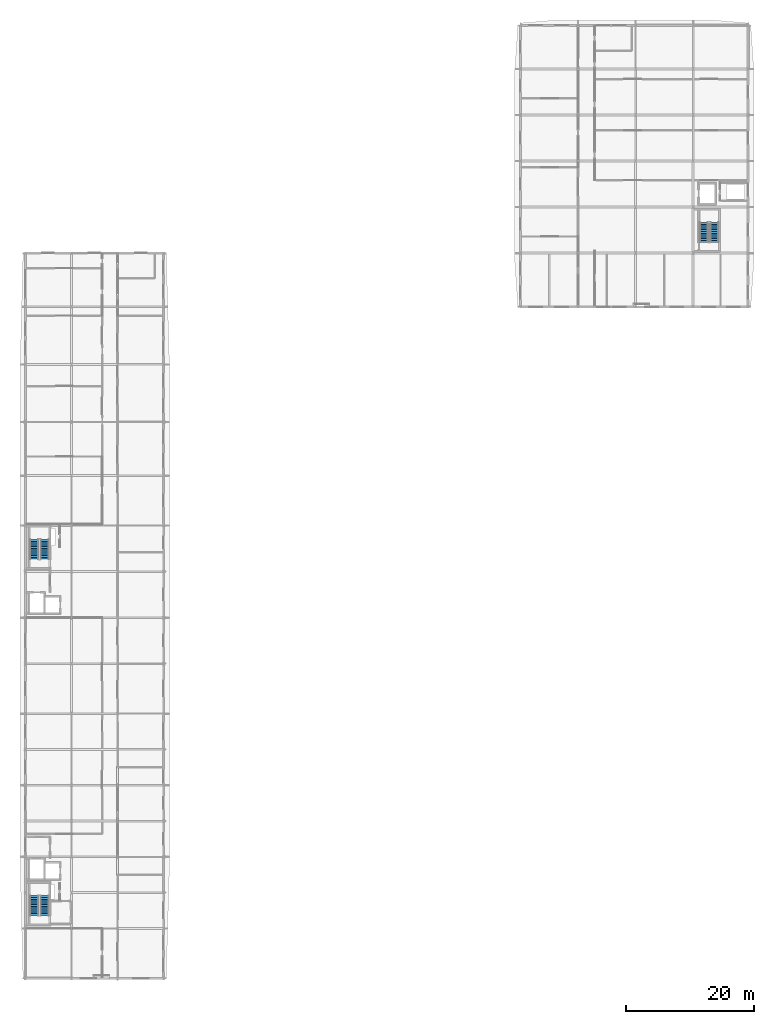
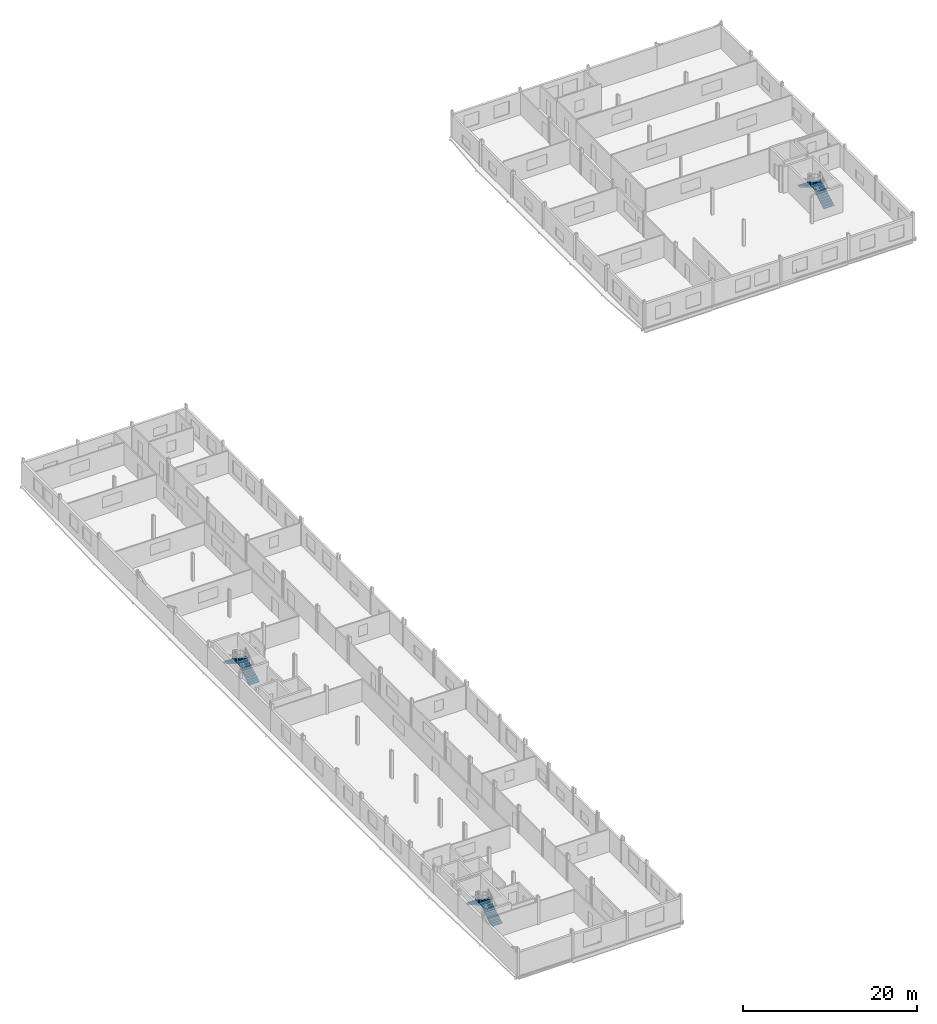
# One storey, part 27 of 30: 6 stair flights, 3 elements without a shape of their own.
"""IFC4 building model written with IfcOpenShell, lengths in metres."""

from ifc_helpers import new_model, si_unit, direction, frame, origin, place, context, subcontext, project, spatial, polyline, outline, extrude, material, type_object, element, aggregate, save


model = new_model("IFC4")

# Units and contexts
model_context = context("Model", 3, precision=1e-05, world=origin(), true_north=direction((0.0, 1.0)))
body_context = subcontext(model_context, "Body", "Model", "MODEL_VIEW")
ifc_project = project(units=[si_unit("LENGTHUNIT", "METRE"), si_unit("AREAUNIT", "SQUARE_METRE"), si_unit("VOLUMEUNIT", "CUBIC_METRE"), si_unit("PLANEANGLEUNIT", "RADIAN"), si_unit("MASSUNIT", "GRAM", prefix="KILO")], contexts=[model_context])

# Site, building, storey
site_placement = place(None, origin())
site = spatial("IfcSite", under=ifc_project, at=site_placement, CompositionType="ELEMENT")
building_placement = place(site_placement, origin())
building = spatial("IfcBuilding", under=site, at=building_placement, Name="Vinh Khe Railworks Police Headquarters", CompositionType="ELEMENT")
storey_placement = place(building_placement, frame((0.0, 0.0, 21.0)))
storey = spatial("IfcBuildingStorey", under=building, at=storey_placement, Name="L05", CompositionType="ELEMENT", Elevation=21.0)

# Stair, stair flights
ifc_material = material(Name="Precast concrete C40/50 (B40)", Category="concrete")
stair_type = type_object("IfcStairType", Name="ST-CORE-DOGLEG", PredefinedType="HALF_TURN_STAIR", material=ifc_material)
stair_1_placement = place(storey_placement, origin())
stair_1 = element("IfcStair", 1, at=stair_1_placement, inside=storey, type_object=stair_type, Name="L05 Escape Stair ST-01", PredefinedType="HALF_TURN_STAIR")
stair_flight_type = type_object("IfcStairFlightType", Name="STF-PRECAST-1350", PredefinedType="STRAIGHT", material=ifc_material)
stair_flight_1_placement = place(storey_placement, frame((3.625, 27.25, 0.0), z_axis=(0.0, 0.0, 1.0), x_axis=(0.0, 1.0, 0.0)))
stair_flight_1 = element("IfcStairFlight", 2, at=stair_flight_1_placement, type_object=stair_flight_type, Name="ST-01 flight 1", NumberOfRisers=12, NumberOfTreads=11, PredefinedType="STRAIGHT", RiserHeight=0.1625, TreadLength=0.28, context=body_context, shape_type="SweptSolid", body=[
    extrude(outline(polyline([(0.0, 0.0), (0.0, 0.16259765625), (0.280029296875, 0.16259765625), (0.280029296875, 0.324951171875), (0.56005859375, 0.324951171875), (0.56005859375, 0.487548828125), (0.840087890625, 0.487548828125), (0.840087890625, 0.64990234375), (1.1201171875, 0.64990234375), (1.1201171875, 0.8125), (1.39990234375, 0.8125), (1.39990234375, 0.97509765625), (1.679931640625, 0.97509765625), (1.679931640625, 1.137451171875), (1.9599609375, 1.137451171875), (1.9599609375, 1.300048828125), (2.239990234375, 1.300048828125), (2.239990234375, 1.46240234375), (2.52001953125, 1.46240234375), (2.52001953125, 1.625), (2.800048828125, 1.625), (2.800048828125, 1.78759765625), (3.080078125, 1.78759765625), (3.080078125, 1.949951171875), (3.080078125, 1.6142578125), (0.298583984375, 0.0), (0.0, 0.0)])), frame((0.0, 0.675048828125, 0.0), z_axis=(0.0, -1.0, 0.0), x_axis=(1.0, 0.0, 0.0)), (0.0, 0.0, 1.0), 1.35009765625),
])
stair_flight_2_placement = place(storey_placement, frame((1.97509765625, 30.330078125, 1.949951171875), z_axis=(0.0, 0.0, 1.0), x_axis=(0.0, -1.0, 0.0)))
stair_flight_2 = element("IfcStairFlight", 3, at=stair_flight_2_placement, type_object=stair_flight_type, Name="ST-01 flight 2", NumberOfRisers=12, NumberOfTreads=11, PredefinedType="STRAIGHT", RiserHeight=0.1625, TreadLength=0.28, context=body_context, shape_type="SweptSolid", body=[
    extrude(outline(polyline([(0.0, 0.0), (0.0, 0.16259765625), (0.280029296875, 0.16259765625), (0.280029296875, 0.324951171875), (0.56005859375, 0.324951171875), (0.56005859375, 0.487548828125), (0.840087890625, 0.487548828125), (0.840087890625, 0.64990234375), (1.1201171875, 0.64990234375), (1.1201171875, 0.8125), (1.39990234375, 0.8125), (1.39990234375, 0.97509765625), (1.679931640625, 0.97509765625), (1.679931640625, 1.137451171875), (1.9599609375, 1.137451171875), (1.9599609375, 1.300048828125), (2.239990234375, 1.300048828125), (2.239990234375, 1.46240234375), (2.52001953125, 1.46240234375), (2.52001953125, 1.625), (2.800048828125, 1.625), (2.800048828125, 1.78759765625), (3.080078125, 1.78759765625), (3.080078125, 1.949951171875), (3.080078125, 1.6142578125), (0.298583984375, 0.0), (0.0, 0.0)])), frame((0.0, 0.675048828125, 0.0), z_axis=(0.0, -1.0, 0.0), x_axis=(1.0, 0.0, 0.0)), (0.0, 0.0, 1.0), 1.35009765625),
])
aggregate(stair_1, [stair_flight_1, stair_flight_2])

stair_2_placement = place(storey_placement, origin())
stair_2 = element("IfcStair", 4, at=stair_2_placement, inside=storey, type_object=stair_type, Name="L05 Escape Stair ST-02", PredefinedType="HALF_TURN_STAIR")
stair_flight_3_placement = place(storey_placement, frame((3.625, 82.949951171875, 0.0), z_axis=(0.0, 0.0, 1.0), x_axis=(0.0, 1.0, 0.0)))
stair_flight_3 = element("IfcStairFlight", 5, at=stair_flight_3_placement, type_object=stair_flight_type, Name="ST-02 flight 1", NumberOfRisers=12, NumberOfTreads=11, PredefinedType="STRAIGHT", RiserHeight=0.1625, TreadLength=0.28, context=body_context, shape_type="SweptSolid", body=[
    extrude(outline(polyline([(0.0, 0.0), (0.0, 0.16259765625), (0.280029296875, 0.16259765625), (0.280029296875, 0.324951171875), (0.56005859375, 0.324951171875), (0.56005859375, 0.487548828125), (0.840087890625, 0.487548828125), (0.840087890625, 0.64990234375), (1.1201171875, 0.64990234375), (1.1201171875, 0.8125), (1.39990234375, 0.8125), (1.39990234375, 0.97509765625), (1.679931640625, 0.97509765625), (1.679931640625, 1.137451171875), (1.9599609375, 1.137451171875), (1.9599609375, 1.300048828125), (2.239990234375, 1.300048828125), (2.239990234375, 1.46240234375), (2.52001953125, 1.46240234375), (2.52001953125, 1.625), (2.800048828125, 1.625), (2.800048828125, 1.78759765625), (3.080078125, 1.78759765625), (3.080078125, 1.949951171875), (3.080078125, 1.6142578125), (0.298583984375, 0.0), (0.0, 0.0)])), frame((0.0, 0.675048828125, 0.0), z_axis=(0.0, -1.0, 0.0), x_axis=(1.0, 0.0, 0.0)), (0.0, 0.0, 1.0), 1.35009765625),
])
stair_flight_4_placement = place(storey_placement, frame((1.97509765625, 86.030029296875, 1.949951171875), z_axis=(0.0, 0.0, 1.0), x_axis=(0.0, -1.0, 0.0)))
stair_flight_4 = element("IfcStairFlight", 6, at=stair_flight_4_placement, type_object=stair_flight_type, Name="ST-02 flight 2", NumberOfRisers=12, NumberOfTreads=11, PredefinedType="STRAIGHT", RiserHeight=0.1625, TreadLength=0.28, context=body_context, shape_type="SweptSolid", body=[
    extrude(outline(polyline([(0.0, 0.0), (0.0, 0.16259765625), (0.280029296875, 0.16259765625), (0.280029296875, 0.324951171875), (0.56005859375, 0.324951171875), (0.56005859375, 0.487548828125), (0.840087890625, 0.487548828125), (0.840087890625, 0.64990234375), (1.1201171875, 0.64990234375), (1.1201171875, 0.8125), (1.39990234375, 0.8125), (1.39990234375, 0.97509765625), (1.679931640625, 0.97509765625), (1.679931640625, 1.137451171875), (1.9599609375, 1.137451171875), (1.9599609375, 1.300048828125), (2.239990234375, 1.300048828125), (2.239990234375, 1.46240234375), (2.52001953125, 1.46240234375), (2.52001953125, 1.625), (2.800048828125, 1.625), (2.800048828125, 1.78759765625), (3.080078125, 1.78759765625), (3.080078125, 1.949951171875), (3.080078125, 1.6142578125), (0.298583984375, 0.0), (0.0, 0.0)])), frame((0.0, 0.675048828125, 0.0), z_axis=(0.0, -1.0, 0.0), x_axis=(1.0, 0.0, 0.0)), (0.0, 0.0, 1.0), 1.35009765625),
])
aggregate(stair_2, [stair_flight_3, stair_flight_4])

stair_3_placement = place(storey_placement, origin())
stair_3 = element("IfcStair", 7, at=stair_3_placement, inside=storey, type_object=stair_type, Name="L05 Escape Stair ST-03", PredefinedType="HALF_TURN_STAIR")
stair_flight_5_placement = place(storey_placement, frame((108.324951171875, 132.5, 0.0), z_axis=(0.0, 0.0, 1.0), x_axis=(0.0, 1.0, 0.0)))
stair_flight_5 = element("IfcStairFlight", 8, at=stair_flight_5_placement, type_object=stair_flight_type, Name="ST-03 flight 1", NumberOfRisers=12, NumberOfTreads=11, PredefinedType="STRAIGHT", RiserHeight=0.1625, TreadLength=0.28, context=body_context, shape_type="SweptSolid", body=[
    extrude(outline(polyline([(0.0, 0.0), (0.0, 0.16259765625), (0.280029296875, 0.16259765625), (0.280029296875, 0.324951171875), (0.56005859375, 0.324951171875), (0.56005859375, 0.487548828125), (0.840087890625, 0.487548828125), (0.840087890625, 0.64990234375), (1.1201171875, 0.64990234375), (1.1201171875, 0.8125), (1.39990234375, 0.8125), (1.39990234375, 0.97509765625), (1.679931640625, 0.97509765625), (1.679931640625, 1.137451171875), (1.9599609375, 1.137451171875), (1.9599609375, 1.300048828125), (2.239990234375, 1.300048828125), (2.239990234375, 1.46240234375), (2.52001953125, 1.46240234375), (2.52001953125, 1.625), (2.800048828125, 1.625), (2.800048828125, 1.78759765625), (3.080078125, 1.78759765625), (3.080078125, 1.949951171875), (3.080078125, 1.6142578125), (0.298583984375, 0.0), (0.0, 0.0)])), frame((0.0, 0.675048828125, 0.0), z_axis=(0.0, -1.0, 0.0), x_axis=(1.0, 0.0, 0.0)), (0.0, 0.0, 1.0), 1.35009765625),
])
stair_flight_6_placement = place(storey_placement, frame((106.675048828125, 135.580078125, 1.949951171875), z_axis=(0.0, 0.0, 1.0), x_axis=(0.0, -1.0, 0.0)))
stair_flight_6 = element("IfcStairFlight", 9, at=stair_flight_6_placement, type_object=stair_flight_type, Name="ST-03 flight 2", NumberOfRisers=12, NumberOfTreads=11, PredefinedType="STRAIGHT", RiserHeight=0.1625, TreadLength=0.28, context=body_context, shape_type="SweptSolid", body=[
    extrude(outline(polyline([(0.0, 0.0), (0.0, 0.16259765625), (0.280029296875, 0.16259765625), (0.280029296875, 0.324951171875), (0.56005859375, 0.324951171875), (0.56005859375, 0.487548828125), (0.840087890625, 0.487548828125), (0.840087890625, 0.64990234375), (1.1201171875, 0.64990234375), (1.1201171875, 0.8125), (1.39990234375, 0.8125), (1.39990234375, 0.97509765625), (1.679931640625, 0.97509765625), (1.679931640625, 1.137451171875), (1.9599609375, 1.137451171875), (1.9599609375, 1.300048828125), (2.239990234375, 1.300048828125), (2.239990234375, 1.46240234375), (2.52001953125, 1.46240234375), (2.52001953125, 1.625), (2.800048828125, 1.625), (2.800048828125, 1.78759765625), (3.080078125, 1.78759765625), (3.080078125, 1.949951171875), (3.080078125, 1.6142578125), (0.298583984375, 0.0), (0.0, 0.0)])), frame((0.0, 0.675048828125, 0.0), z_axis=(0.0, -1.0, 0.0), x_axis=(1.0, 0.0, 0.0)), (0.0, 0.0, 1.0), 1.35009765625),
])
aggregate(stair_3, [stair_flight_5, stair_flight_6])

save(model, "model.ifc")
